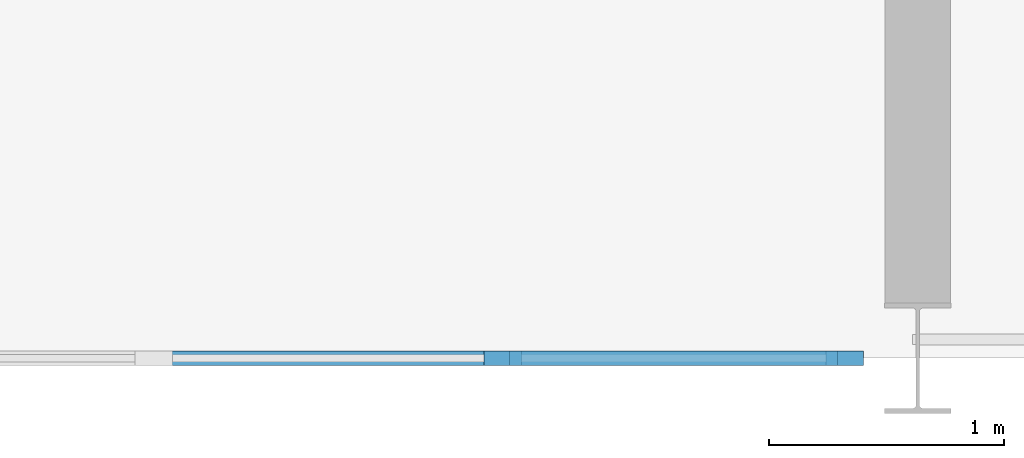
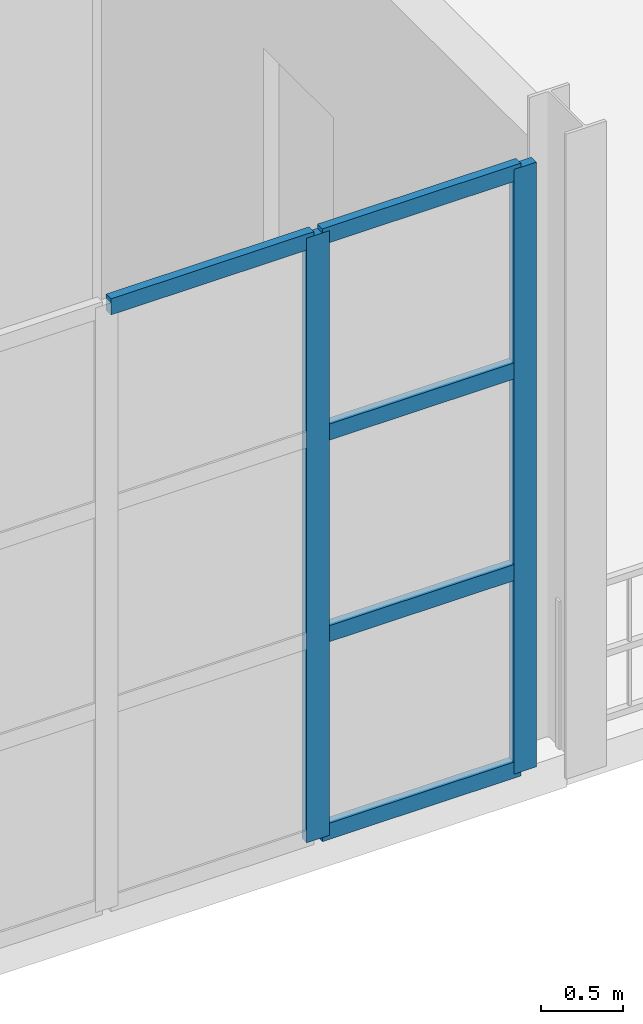
# One storey, part 16 of 61: 7 members, 1 element without a shape of its own.
"""IFC4 building model written with IfcOpenShell, lengths in metres."""

from ifc_helpers import new_model, si_unit, direction, frame, origin, origin_2d, place, context, subcontext, project, spatial, rectangle, extrude, material, material_profile, profile_set, type_object, element, aggregate, save


model = new_model("IFC4")

# Units and contexts
model_context = context("Model", 3, precision=1e-05, world=origin(), true_north=direction((0.0, 1.0)))
body_context = subcontext(model_context, "Body", "Model", "MODEL_VIEW")
ifc_project = project(units=[si_unit("LENGTHUNIT", "METRE"), si_unit("AREAUNIT", "SQUARE_METRE"), si_unit("VOLUMEUNIT", "CUBIC_METRE"), si_unit("PLANEANGLEUNIT", "RADIAN"), si_unit("MASSUNIT", "GRAM", prefix="KILO")], contexts=[model_context])

# Site, building, storey
site_placement = place(None, origin())
site = spatial("IfcSite", under=ifc_project, at=site_placement, CompositionType="ELEMENT")
building_placement = place(site_placement, origin())
building = spatial("IfcBuilding", under=site, at=building_placement, Name="Serraluz Foothill Cableway Terminal", CompositionType="ELEMENT")
storey_placement = place(building_placement, frame((0.0, 0.0, 15.0)))
storey = spatial("IfcBuildingStorey", under=building, at=storey_placement, Name="L03", CompositionType="ELEMENT", Elevation=15.0)

# Curtain wall, members
ifc_material = material(Name="Architectural bronze alloy C28000", Category="aluminium")
curtain_wall_type = type_object("IfcCurtainWallType", Name="TYP-CW-480X420", PredefinedType="NOTDEFINED", material=ifc_material)
curtain_wall_placement = place(storey_placement, origin())
curtain_wall = element("IfcCurtainWall", 1, at=curtain_wall_placement, inside=storey, type_object=curtain_wall_type, Name="Ribbed Glazed Curtain Wall CW-V3S-L03-112", PredefinedType="NOTDEFINED")
ifc_material_profile_1 = material_profile(ifc_material, rectangle(XDim=0.06005859375, YDim=0.159912109375, at=origin_2d()), Name="ALU MULLION 60x160")
ifc_profile_set_1 = profile_set([ifc_material_profile_1], Name="Architectural bronze alloy C28000")
member_type_1 = type_object("IfcMemberType", Name="TYP-CW-MUL-60X160", PredefinedType="MULLION", material=ifc_profile_set_1)
member_1_placement = place(storey_placement, frame((119.6884765625, 0.0, 0.0), z_axis=(0.0, 0.0, 1.0), x_axis=(0.0, -1.0, 0.0)))
member_1 = element("IfcMember", 2, at=member_1_placement, type_object=member_type_1, Name="CW-15 mullion 1", PredefinedType="MULLION", context=body_context, shape_type="SweptSolid", body=[
    extrude(rectangle(XDim=0.06005859375, YDim=0.159912109375, at=origin_2d()), origin(), (0.0, 0.0, 1.0), 4.5),
])
member_2_placement = place(storey_placement, frame((118.231201171875, 0.0, 0.0), z_axis=(0.0, 0.0, 1.0), x_axis=(0.0, -1.0, 0.0)))
member_2 = element("IfcMember", 3, at=member_2_placement, type_object=member_type_1, Name="CW-15 mullion 2", PredefinedType="MULLION", context=body_context, shape_type="SweptSolid", body=[
    extrude(rectangle(XDim=0.06005859375, YDim=0.159912109375, at=origin_2d()), origin(), (0.0, 0.0, 1.0), 4.5),
])
ifc_material_profile_2 = material_profile(ifc_material, rectangle(XDim=0.06005859375, YDim=0.1201171875, at=origin_2d()), Name="ALU TRANSOM 60x120")
ifc_profile_set_2 = profile_set([ifc_material_profile_2], Name="Architectural bronze alloy C28000")
member_type_2 = type_object("IfcMemberType", Name="TYP-CW-TRN-60X120", PredefinedType="USERDEFINED", material=ifc_profile_set_2)
member_3_placement = place(storey_placement, frame((119.658447265625, 0.0, 0.030029296875), z_axis=(-1.0, 0.0, 0.0), x_axis=(0.0, -1.0, 0.0)))
member_3 = element("IfcMember", 4, at=member_3_placement, type_object=member_type_2, Name="CW-15 transom 1.1", ObjectType="TRANSOM", PredefinedType="USERDEFINED", context=body_context, shape_type="SweptSolid", body=[
    extrude(rectangle(XDim=0.06005859375, YDim=0.1201171875, at=origin_2d()), origin(), (0.0, 0.0, 1.0), 1.3974609375),
])
member_4_placement = place(storey_placement, frame((119.658447265625, 0.0, 1.5), z_axis=(-1.0, 0.0, 0.0), x_axis=(0.0, -1.0, 0.0)))
member_4 = element("IfcMember", 5, at=member_4_placement, type_object=member_type_2, Name="CW-15 transom 1.2", ObjectType="TRANSOM", PredefinedType="USERDEFINED", context=body_context, shape_type="SweptSolid", body=[
    extrude(rectangle(XDim=0.06005859375, YDim=0.1201171875, at=origin_2d()), origin(), (0.0, 0.0, 1.0), 1.3974609375),
])
member_5_placement = place(storey_placement, frame((119.658447265625, 0.0, 3.0), z_axis=(-1.0, 0.0, 0.0), x_axis=(0.0, -1.0, 0.0)))
member_5 = element("IfcMember", 6, at=member_5_placement, type_object=member_type_2, Name="CW-15 transom 1.3", ObjectType="TRANSOM", PredefinedType="USERDEFINED", context=body_context, shape_type="SweptSolid", body=[
    extrude(rectangle(XDim=0.06005859375, YDim=0.1201171875, at=origin_2d()), origin(), (0.0, 0.0, 1.0), 1.3974609375),
])
member_6_placement = place(storey_placement, frame((119.658447265625, 0.0, 4.469970703125), z_axis=(-1.0, 0.0, 0.0), x_axis=(0.0, -1.0, 0.0)))
member_6 = element("IfcMember", 7, at=member_6_placement, type_object=member_type_2, Name="CW-15 transom 1.4", ObjectType="TRANSOM", PredefinedType="USERDEFINED", context=body_context, shape_type="SweptSolid", body=[
    extrude(rectangle(XDim=0.06005859375, YDim=0.1201171875, at=origin_2d()), origin(), (0.0, 0.0, 1.0), 1.3974609375),
])
member_7_placement = place(storey_placement, frame((118.201171875, 0.0, 4.469970703125), z_axis=(-1.0, 0.0, 0.0), x_axis=(0.0, -1.0, 0.0)))
member_7 = element("IfcMember", 8, at=member_7_placement, type_object=member_type_2, Name="CW-15 transom 2.4", ObjectType="TRANSOM", PredefinedType="USERDEFINED", context=body_context, shape_type="SweptSolid", body=[
    extrude(rectangle(XDim=0.06005859375, YDim=0.1201171875, at=origin_2d()), origin(), (0.0, 0.0, 1.0), 1.427490234375),
])
aggregate(curtain_wall, [member_1, member_2, member_3, member_4, member_5, member_6, member_7])

save(model, "model.ifc")
